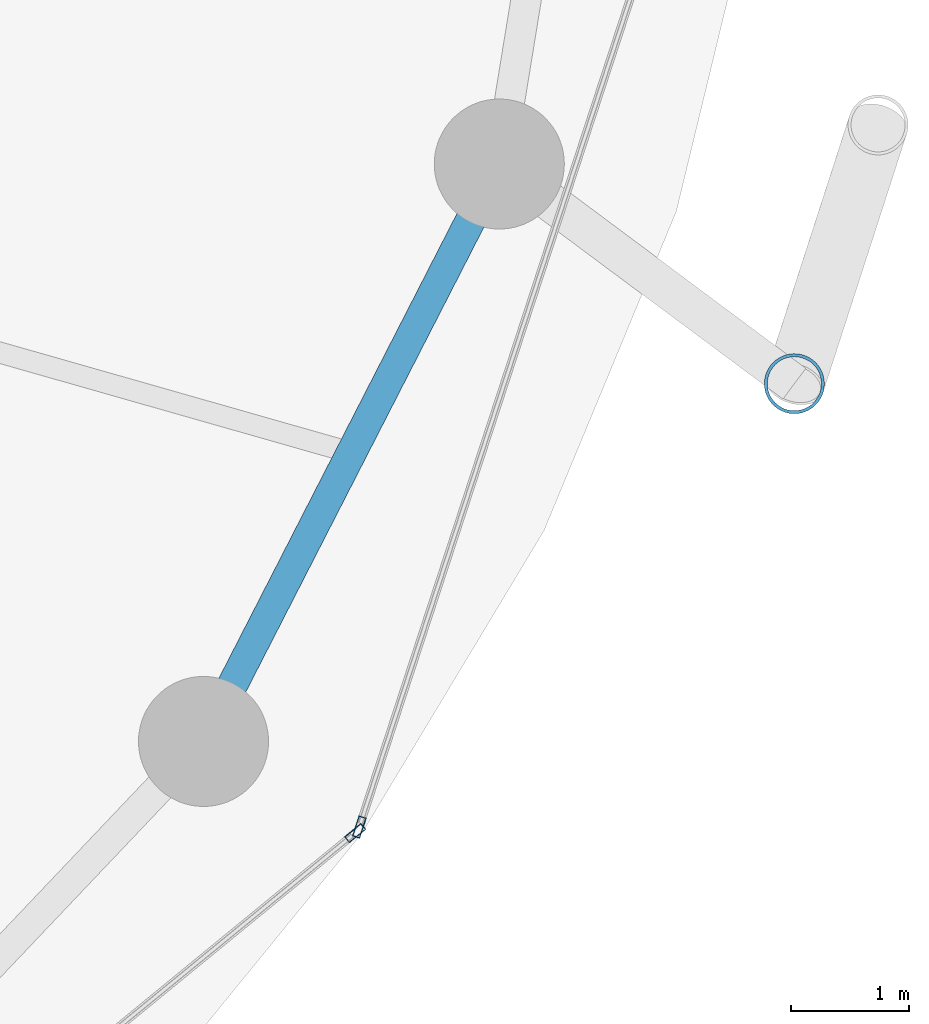
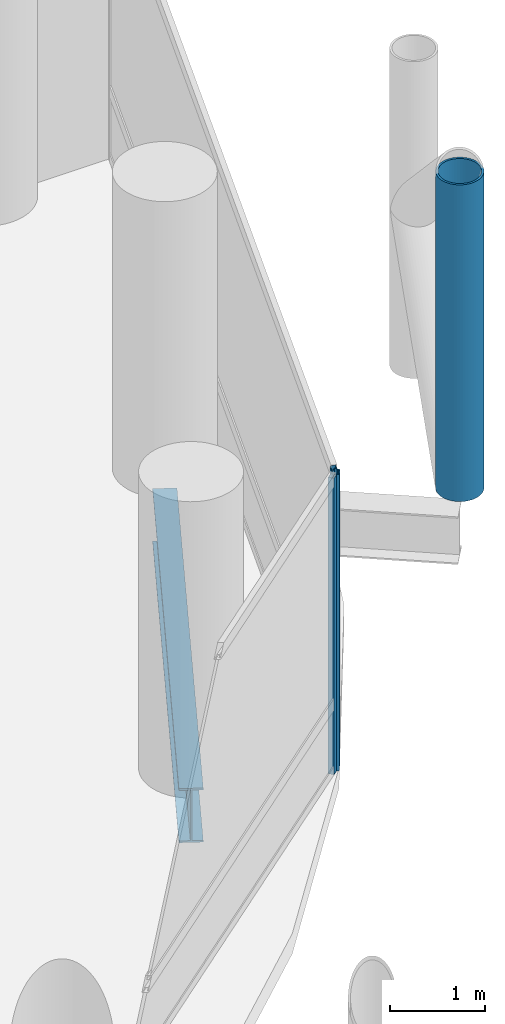
# One storey, part 10 of 25: 3 members, 1 beam, 2 elements without a shape of their own.
"""IFC4 building model written with IfcOpenShell, lengths in metres."""

from ifc_helpers import new_model, si_unit, direction, frame, origin, origin_2d, place, context, subcontext, project, spatial, hollow_rectangle, hollow_circle, i_section, extrude, material, layer, layer_set, material_profile, profile_set, type_object, element, aggregate, save


model = new_model("IFC4")

# Units and contexts
model_context = context("Model", 3, precision=1e-05, world=origin(), true_north=direction((0.0, 1.0)))
body_context = subcontext(model_context, "Body", "Model", "MODEL_VIEW")
ifc_project = project(units=[si_unit("LENGTHUNIT", "METRE"), si_unit("AREAUNIT", "SQUARE_METRE"), si_unit("VOLUMEUNIT", "CUBIC_METRE"), si_unit("PLANEANGLEUNIT", "RADIAN"), si_unit("MASSUNIT", "GRAM", prefix="KILO")], contexts=[model_context])

# Site, building, storey
site_placement = place(None, origin())
site = spatial("IfcSite", under=ifc_project, at=site_placement, CompositionType="ELEMENT")
building_placement = place(site_placement, origin())
building = spatial("IfcBuilding", under=site, at=building_placement, Name="Nuhasar Tower", CompositionType="ELEMENT")
storey_placement = place(building_placement, frame((0.0, 0.0, 45.300048828125)))
storey = spatial("IfcBuildingStorey", under=building, at=storey_placement, Name="L10", CompositionType="ELEMENT", Elevation=45.300048828125)

# Beam
ifc_material_1 = material(Name="Steel S355", Category="steel")
ifc_material_profile_1 = material_profile(ifc_material_1, i_section(OverallWidth=0.256103515625, OverallDepth=0.693115234375, WebThickness=0.014404296875, FlangeThickness=0.023681640625, at=origin_2d()), Name="W27X114")
ifc_profile_set_1 = profile_set([ifc_material_profile_1], Name="Steel S355")
beam_type = type_object("IfcBeamType", Name="BM-RING-W27X114", PredefinedType="SPANDREL", material=ifc_profile_set_1)
beam_placement = place(storey_placement, frame((60.694091796875, 16.675048828125, -0.60595703125), z_axis=(0.455930023905, 0.890015625314, 0.0), x_axis=(-0.890015625314, 0.455930023905, 0.0)))
element("IfcBeam", 1, at=beam_placement, inside=storey, type_object=beam_type, Name="L10 Perimeter Ring Spandrel 23", PredefinedType="SPANDREL", context=body_context, shape_type="SweptSolid", body=[
    extrude(i_section(OverallWidth=0.256103515625, OverallDepth=0.693115234375, WebThickness=0.014404296875, FlangeThickness=0.023681640625, at=origin_2d()), origin(), (0.0, 0.0, 1.0), 5.487548828125),
])

# Curtain wall, member
ifc_material_2 = material(Name="Aluminium 6063-T6", Category="aluminium")
ifc_layer = layer(ifc_material_2, 0.199951171875)
ifc_layer_set = layer_set([ifc_layer], Name="Aluminium 6063-T6")
curtain_wall_type = type_object("IfcCurtainWallType", Name="CW-Z1-OFF", PredefinedType="NOTDEFINED", material=ifc_layer_set)
curtain_wall_1_placement = place(storey_placement, origin())
curtain_wall_1 = element("IfcCurtainWall", 2, at=curtain_wall_1_placement, inside=storey, type_object=curtain_wall_type, Name="L10 Unitised Curtain Wall 11", PredefinedType="NOTDEFINED")
ifc_material_profile_2 = material_profile(ifc_material_2, hollow_rectangle(XDim=0.06494140625, YDim=0.179931640625, WallThickness=0.0048828125, at=origin_2d()), Name="CWM-2")
ifc_profile_set_2 = profile_set([ifc_material_profile_2], Name="Aluminium 6063-T6")
member_type_1 = type_object("IfcMemberType", Name="CW-MUL-S2", PredefinedType="MULLION", material=ifc_profile_set_2)
member_1_placement = place(storey_placement, frame((61.976806640625, 15.8994140625, 0.0), z_axis=(0.0, 0.0, 1.0), x_axis=(-0.633744593376, 0.773542364946, 0.0)))
member_1 = element("IfcMember", 3, at=member_1_placement, type_object=member_type_1, Name="CW-Z1 mullion 2", PredefinedType="MULLION", context=body_context, shape_type="SweptSolid", body=[
    extrude(hollow_rectangle(XDim=0.06494140625, YDim=0.179931640625, WallThickness=0.0048828125, at=origin_2d()), origin(), (0.0, 0.0, 1.0), 3.7900390625),
])
aggregate(curtain_wall_1, [member_1])

curtain_wall_2_placement = place(storey_placement, origin())
curtain_wall_2 = element("IfcCurtainWall", 4, at=curtain_wall_2_placement, inside=storey, type_object=curtain_wall_type, Name="L10 Unitised Curtain Wall 12", PredefinedType="NOTDEFINED")
member_2_placement = place(storey_placement, frame((62.01220703125, 15.950927734375, 0.0), z_axis=(0.0, 0.0, 1.0), x_axis=(-0.950467534571, 0.310823849997, 0.0)))
member_2 = element("IfcMember", 5, at=member_2_placement, type_object=member_type_1, Name="CW-Z1 mullion 1", PredefinedType="MULLION", context=body_context, shape_type="SweptSolid", body=[
    extrude(hollow_rectangle(XDim=0.06494140625, YDim=0.179931640625, WallThickness=0.0048828125, at=origin_2d()), origin(), (0.0, 0.0, 1.0), 3.7900390625),
])
aggregate(curtain_wall_2, [member_2])

# Member
ifc_material_3 = material(Name="Steel S460", Category="steel")
ifc_material_profile_3 = material_profile(ifc_material_3, hollow_circle(Radius=0.25390625, WallThickness=0.025390625, at=origin_2d()), Name="HSS508X25.4")
ifc_profile_set_3 = profile_set([ifc_material_profile_3], Name="Steel S460")
member_type_2 = type_object("IfcMemberType", Name="EXO-BRONZE-508", PredefinedType="BRACE", material=ifc_profile_set_3)
member_3_placement = place(storey_placement, frame((65.69189453125, 19.700927734375, 0.0), z_axis=(0.0, 0.0, 1.0), x_axis=(1.0, 0.0, 0.0)))
element("IfcMember", 6, at=member_3_placement, inside=storey, type_object=member_type_2, Name="L10 Exoskeleton Chord Column EC-12A", PredefinedType="BRACE", context=body_context, shape_type="SweptSolid", body=[
    extrude(hollow_circle(Radius=0.25390625, WallThickness=0.025390625, at=origin_2d()), origin(), (0.0, 0.0, 1.0), 4.050048828125),
])

save(model, "model.ifc")
